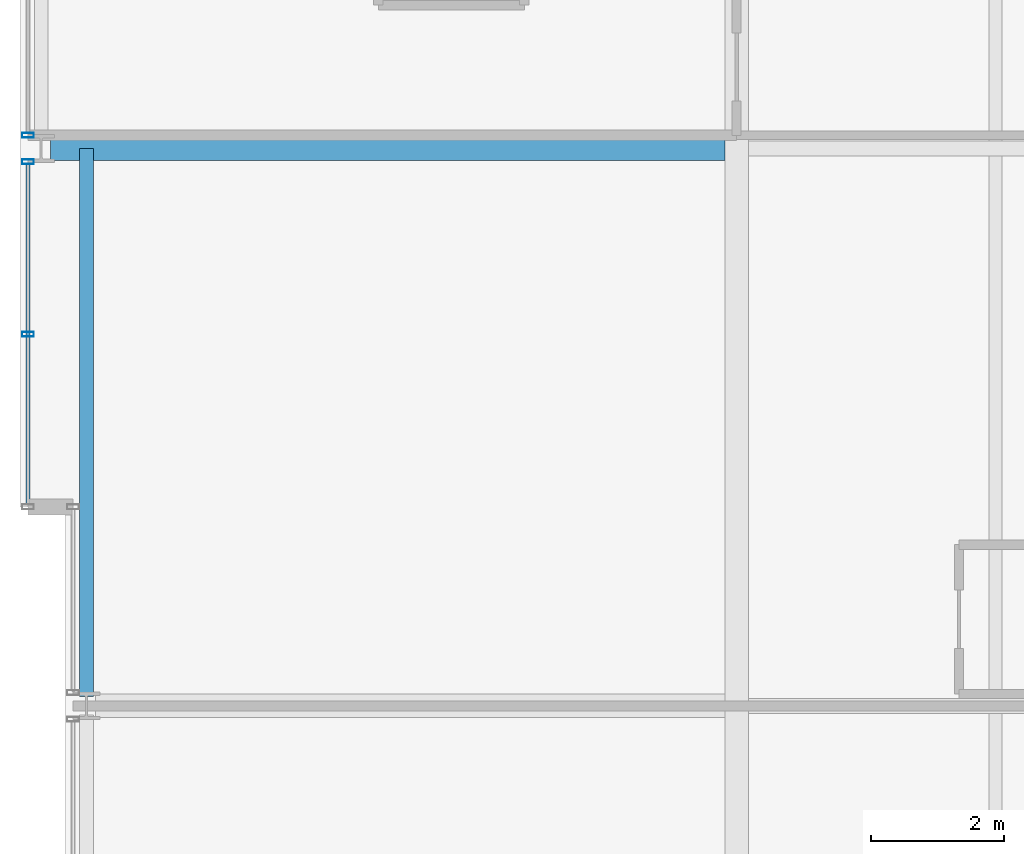
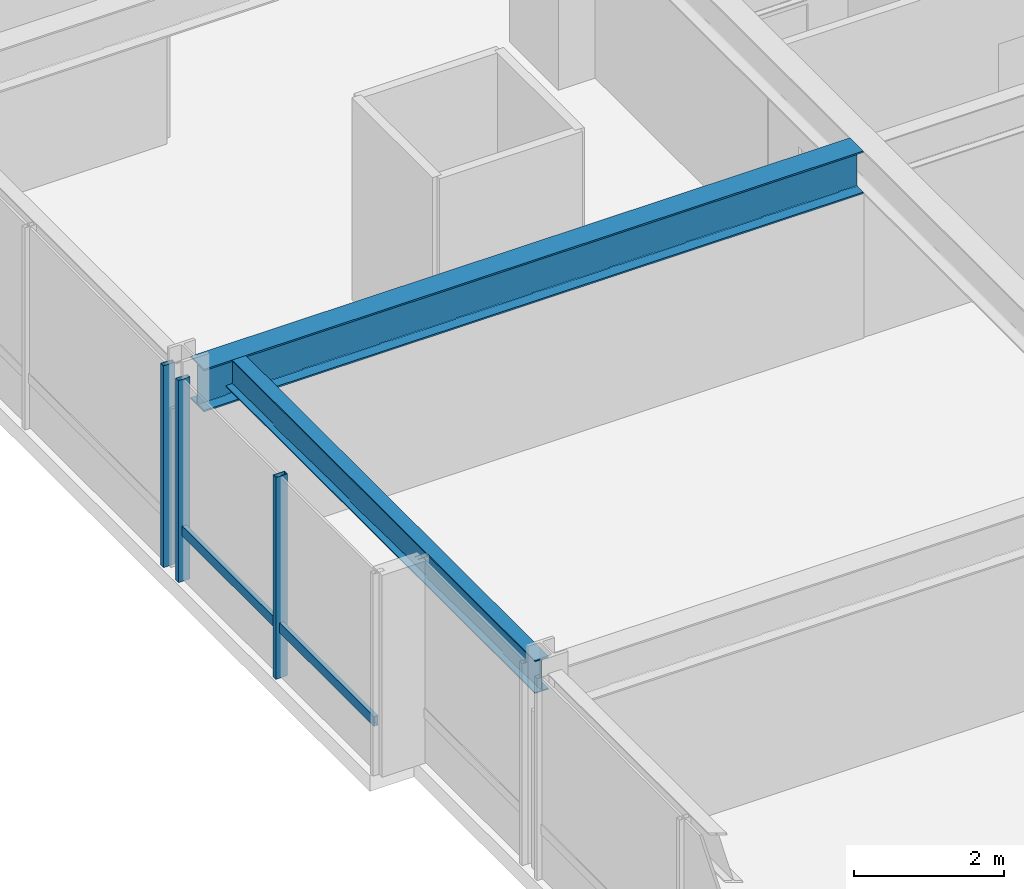
# One storey, part 16 of 32: 4 members, 2 beams, 2 elements without a shape of their own.
"""IFC4 building model written with IfcOpenShell, lengths in metres."""

from ifc_helpers import new_model, si_unit, direction, frame, origin, origin_2d, place, context, subcontext, project, spatial, hollow_rectangle, i_section, extrude, material, layer, layer_set, material_profile, profile_set, type_object, element, aggregate, save


model = new_model("IFC4")

# Units and contexts
model_context = context("Model", 3, precision=1e-05, world=origin(), true_north=direction((0.0, 1.0)))
body_context = subcontext(model_context, "Body", "Model", "MODEL_VIEW")
ifc_project = project(units=[si_unit("LENGTHUNIT", "METRE"), si_unit("AREAUNIT", "SQUARE_METRE"), si_unit("VOLUMEUNIT", "CUBIC_METRE"), si_unit("PLANEANGLEUNIT", "RADIAN"), si_unit("MASSUNIT", "GRAM", prefix="KILO")], contexts=[model_context])

# Site, building, storey
site_placement = place(None, origin())
site = spatial("IfcSite", under=ifc_project, at=site_placement, CompositionType="ELEMENT")
building_placement = place(site_placement, origin())
building = spatial("IfcBuilding", under=site, at=building_placement, Name="Drelvath Grand Hotel", CompositionType="ELEMENT")
storey_placement = place(building_placement, frame((0.0, 0.0, 157.5)))
storey = spatial("IfcBuildingStorey", under=building, at=storey_placement, Name="L40", CompositionType="ELEMENT", Elevation=157.5)

# Curtain wall, members
ifc_material_1 = material(Name="Brushed Pale-Silver Anodised Aluminium Frame", Category="aluminium")
ifc_layer = layer(ifc_material_1, 0.199951171875)
ifc_layer_set = layer_set([ifc_layer], Name="Brushed Pale-Silver Anodised Aluminium Frame")
curtain_wall_type = type_object("IfcCurtainWallType", Name="Stick Curtain Wall CW-04 Brushed Silver Upper-Mid", PredefinedType="NOTDEFINED", material=ifc_layer_set)
curtain_wall_1_placement = place(storey_placement, origin())
curtain_wall_1 = element("IfcCurtainWall", 1, at=curtain_wall_1_placement, inside=storey, type_object=curtain_wall_type, Name="L40 CW-04 Curtain Wall CW04-L40-WN1", PredefinedType="NOTDEFINED")
ifc_material_profile_1 = material_profile(ifc_material_1, hollow_rectangle(XDim=0.06494140625, YDim=0.159912109375, WallThickness=0.00390625, at=origin_2d()), Name="HSS160X65X4")
ifc_profile_set_1 = profile_set([ifc_material_profile_1], Name="Brushed Pale-Silver Anodised Aluminium Frame")
member_type_1 = type_object("IfcMemberType", Name="Curtain Wall Horizontal Transom CW-04 HSS160X65X4", PredefinedType="USERDEFINED", material=ifc_profile_set_1)
member_1_placement = place(storey_placement, frame((-26.8798828125, 30.0400390625, 0.822509765625), z_axis=(0.0, 1.0, 0.0), x_axis=(-1.0, 0.0, 0.0)))
member_1 = element("IfcMember", 2, at=member_1_placement, type_object=member_type_1, Name="CW04-L40-WN1 Sill Transom", ObjectType="TRANSOM", PredefinedType="USERDEFINED", context=body_context, shape_type="SweptSolid", body=[
    extrude(hollow_rectangle(XDim=0.06494140625, YDim=0.159912109375, WallThickness=0.00390625, at=origin_2d()), origin(), (0.0, 0.0, 1.0), 5.119873046875),
])
ifc_material_profile_2 = material_profile(ifc_material_1, hollow_rectangle(XDim=0.074951171875, YDim=0.179931640625, WallThickness=0.0048828125, at=origin_2d()), Name="HSS180X75X5")
ifc_profile_set_2 = profile_set([ifc_material_profile_2], Name="Brushed Pale-Silver Anodised Aluminium Frame")
member_type_2 = type_object("IfcMemberType", Name="Curtain Wall Vertical Mullion CW-04 HSS180X75X5", PredefinedType="MULLION", material=ifc_profile_set_2)
member_2_placement = place(storey_placement, frame((-26.8798828125, 32.60009765625, 0.0), z_axis=(0.0, 0.0, 1.0), x_axis=(0.0, 1.0, 0.0)))
member_2 = element("IfcMember", 3, at=member_2_placement, type_object=member_type_2, Name="CW04-L40-WN1 Mullion 2", PredefinedType="MULLION", context=body_context, shape_type="SweptSolid", body=[
    extrude(hollow_rectangle(XDim=0.074951171875, YDim=0.179931640625, WallThickness=0.0048828125, at=origin_2d()), origin(), (0.0, 0.0, 1.0), 3.2900390625),
])
member_3_placement = place(storey_placement, frame((-26.8798828125, 35.199951171875, 0.0), z_axis=(0.0, 0.0, 1.0), x_axis=(0.0, 1.0, 0.0)))
member_3 = element("IfcMember", 4, at=member_3_placement, type_object=member_type_2, Name="CW04-L40-WN1 Mullion 3", PredefinedType="MULLION", context=body_context, shape_type="SweptSolid", body=[
    extrude(hollow_rectangle(XDim=0.074951171875, YDim=0.179931640625, WallThickness=0.0048828125, at=origin_2d()), origin(), (0.0, 0.0, 1.0), 3.2900390625),
])
aggregate(curtain_wall_1, [member_2, member_3, member_1])

# Curtain wall, member
curtain_wall_2_placement = place(storey_placement, origin())
curtain_wall_2 = element("IfcCurtainWall", 5, at=curtain_wall_2_placement, inside=storey, type_object=curtain_wall_type, Name="L40 CW-04 Curtain Wall CW04-L40-WN2", PredefinedType="NOTDEFINED")
member_4_placement = place(storey_placement, frame((-26.8798828125, 35.60009765625, 0.0), z_axis=(0.0, 0.0, 1.0), x_axis=(0.0, 1.0, 0.0)))
member_4 = element("IfcMember", 6, at=member_4_placement, type_object=member_type_2, Name="CW04-L40-WN2 Mullion 1", PredefinedType="MULLION", context=body_context, shape_type="SweptSolid", body=[
    extrude(hollow_rectangle(XDim=0.074951171875, YDim=0.179931640625, WallThickness=0.0048828125, at=origin_2d()), origin(), (0.0, 0.0, 1.0), 3.2900390625),
])
aggregate(curtain_wall_2, [member_4])

# Beams
ifc_material_2 = material(Name="Steel ASTM A992 Gr 50", Category="steel")
ifc_material_profile_3 = material_profile(ifc_material_2, i_section(OverallWidth=0.210205078125, OverallDepth=0.53662109375, WebThickness=0.010986328125, FlangeThickness=0.017333984375, FilletRadius=0.01806640625, at=origin_2d()), Name="W21X68")
ifc_profile_set_3 = profile_set([ifc_material_profile_3], Name="Steel ASTM A992 Gr 50")
beam_type_1 = type_object("IfcBeamType", Name="Perimeter Spandrel Beam W21X68", PredefinedType="SPANDREL", material=ifc_profile_set_3)
beam_1_placement = place(storey_placement, frame((-26.0, 27.139892578125, 3.021484375), z_axis=(0.0, 1.0, 0.0), x_axis=(-1.0, 0.0, 0.0)))
element("IfcBeam", 7, at=beam_1_placement, inside=storey, type_object=beam_type_1, Name="L40 Spandrel West Mid N", PredefinedType="SPANDREL", context=body_context, shape_type="SweptSolid", body=[
    extrude(i_section(OverallWidth=0.210205078125, OverallDepth=0.53662109375, WebThickness=0.010986328125, FlangeThickness=0.017333984375, FilletRadius=0.01806640625, at=origin_2d()), origin(), (0.0, 0.0, 1.0), 8.260009765625),
])
ifc_material_profile_4 = material_profile(ifc_material_2, i_section(OverallWidth=0.354736328125, OverallDepth=0.695556640625, WebThickness=0.015380859375, FlangeThickness=0.025146484375, FilletRadius=0.02392578125, at=origin_2d()), Name="W27X146")
ifc_profile_set_4 = profile_set([ifc_material_profile_4], Name="Steel ASTM A992 Gr 50")
beam_type_2 = type_object("IfcBeamType", Name="Primary Floor Girder W27X146", PredefinedType="BEAM", material=ifc_profile_set_4)
beam_2_placement = place(storey_placement, frame((-26.5400390625, 35.39990234375, 2.9423828125), z_axis=(1.0, 0.0, 0.0), x_axis=(0.0, 1.0, 0.0)))
element("IfcBeam", 8, at=beam_2_placement, inside=storey, type_object=beam_type_2, Name="L40 West Wing Girder F", PredefinedType="BEAM", context=body_context, shape_type="SweptSolid", body=[
    extrude(i_section(OverallWidth=0.354736328125, OverallDepth=0.695556640625, WebThickness=0.015380859375, FlangeThickness=0.025146484375, FilletRadius=0.02392578125, at=origin_2d()), origin(), (0.0, 0.0, 1.0), 10.16259765625),
])

save(model, "model.ifc")
